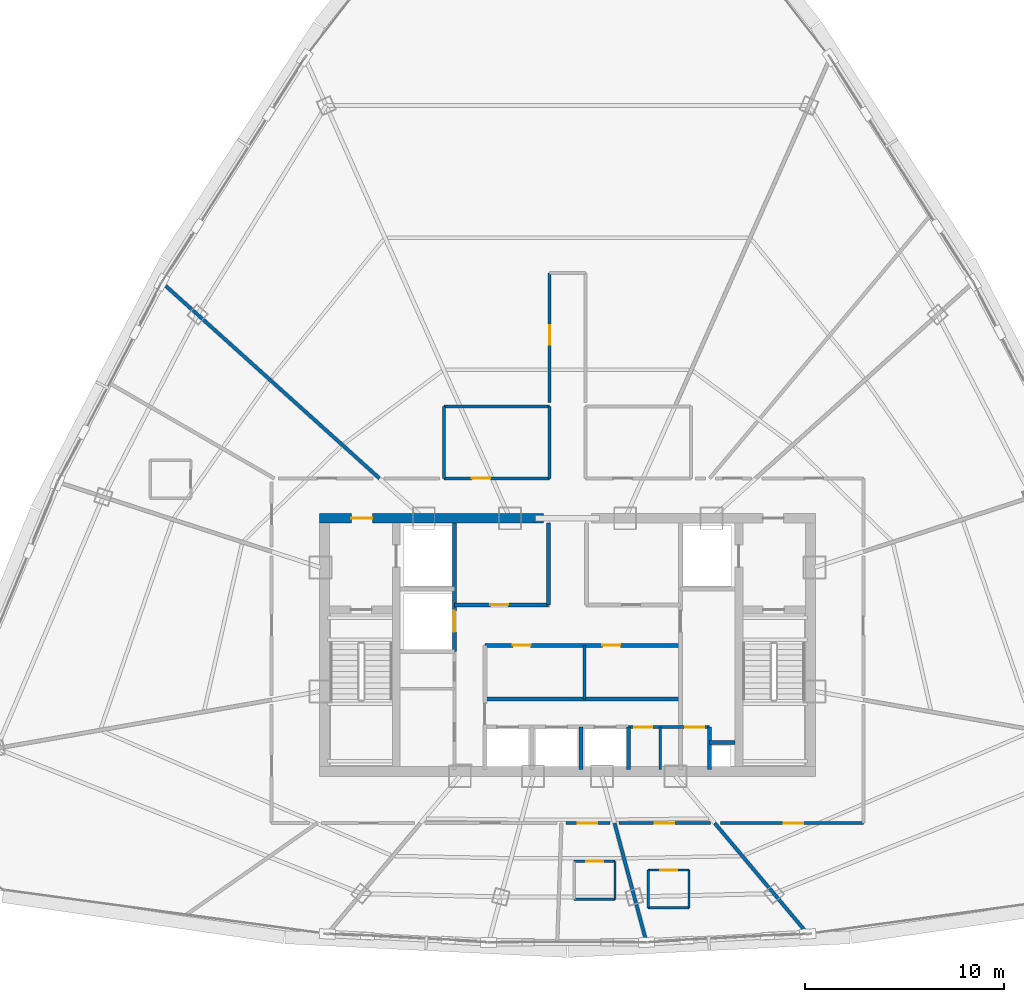
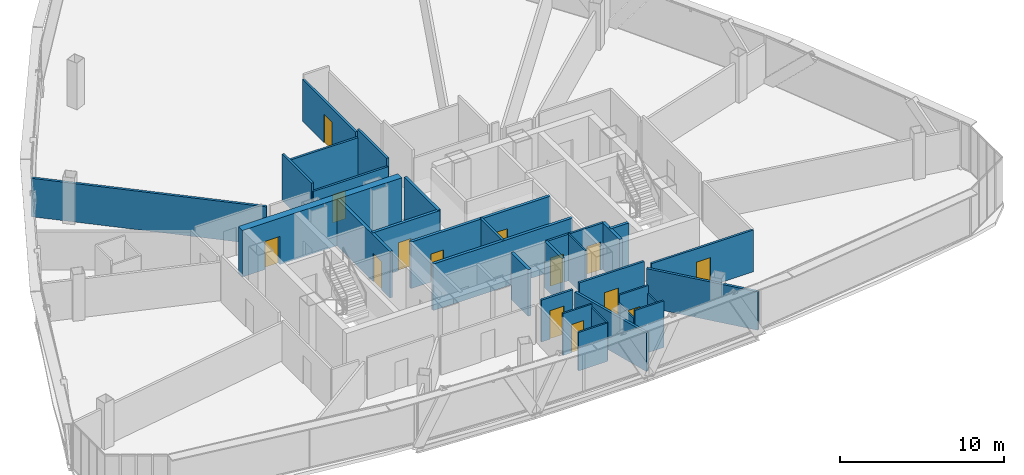
# One storey, part 35 of 40: 31 walls, 14 doors, 14 openings.
"""IFC4 building model written with IfcOpenShell, lengths in metres."""

from ifc_helpers import new_model, si_unit, direction, frame, frame_2d, origin, origin_with_axes, place, context, subcontext, project, spatial, rectangle, extrude, source, transform, mapped, material, layer, layer_set, type_object, element, fill, save


model = new_model("IFC4")

# Units and contexts
model_context = context("Model", 3, precision=1e-05, world=origin(), true_north=direction((0.0, 1.0)))
body_context = subcontext(model_context, "Body", "Model", "MODEL_VIEW")
ifc_project = project(units=[si_unit("LENGTHUNIT", "METRE"), si_unit("AREAUNIT", "SQUARE_METRE"), si_unit("VOLUMEUNIT", "CUBIC_METRE"), si_unit("PLANEANGLEUNIT", "RADIAN"), si_unit("MASSUNIT", "GRAM", prefix="KILO"), si_unit("THERMODYNAMICTEMPERATUREUNIT", "KELVIN"), si_unit("POWERUNIT", "WATT")], contexts=[model_context])

# Site, building, storey
site_placement = place(None, origin())
site = spatial("IfcSite", under=ifc_project, at=site_placement, CompositionType="ELEMENT")
building_placement = place(site_placement, origin())
building = spatial("IfcBuilding", under=site, at=building_placement, Name="Yunzhuo Pagoda Commons", CompositionType="ELEMENT")
storey_placement = place(building_placement, frame((0.0, 0.0, 288.75)))
storey = spatial("IfcBuildingStorey", under=building, at=storey_placement, Name="L72", CompositionType="ELEMENT", Elevation=288.75)

# Wall, opening, door
ifc_material_1 = material(Name="Concrete C50", Category="concrete")
ifc_layer_1 = layer(ifc_material_1, 0.5)
ifc_layer_set_1 = layer_set([ifc_layer_1], Name="Concrete C50")
wall_type_1 = type_object("IfcWallType", Name="W-C03 Upper Core Shear Wall 500", PredefinedType="SHEAR", material=ifc_layer_set_1)
wall_1_placement = place(storey_placement, frame((35.550048828125, 40.199951171875, 0.0), z_axis=(0.0, 0.0, 1.0), x_axis=(1.0, 0.0, 0.0)))
wall_1 = element("IfcWall", 1, at=wall_1_placement, inside=storey, type_object=wall_type_1, Name="L72 core shear wall NW", PredefinedType="SHEAR", context=body_context, shape_type="SweptSolid", body=[
    extrude(rectangle(XDim=11.25, YDim=0.5, at=frame_2d((5.625, 0.0))), origin(), (0.0, 0.0, 1.0), 3.469970703125),
])
opening_1_placement = place(wall_1_placement, frame((1.60009765625, 0.0, 0.0)))
opening_1 = element("IfcOpeningElement", 2, at=opening_1_placement, cuts=wall_1, Name="Opening D-02", PredefinedType="OPENING", context=body_context, shape_type="SweptSolid", body=[
    extrude(rectangle(XDim=1.050048828125, YDim=2.10009765625, at=frame_2d((0.52490234375, 1.050048828125))), frame((0.0, 0.260009765625, 0.0), z_axis=(0.0, -1.0, 0.0), x_axis=(1.0, 0.0, 0.0)), (0.0, 0.0, 1.0), 0.52001953125),
])
ifc_material_2 = material(Name="Galvanized fire-resisting metal leaf")
door_type_1 = type_object("IfcDoorType", Name="D-02 Firefighting Lobby & Refuge Fire Door 1050x2100", OperationType="NOTDEFINED", PredefinedType="DOOR", material=ifc_material_2)
shared_shape_1 = source(origin(), body_context, "Body", "SweptSolid", [
    extrude(rectangle(XDim=1.050048828125, YDim=2.10009765625, at=frame_2d((0.52490234375, 1.050048828125))), frame((0.0, 0.02490234375, 0.0), z_axis=(0.0, -1.0, 0.0), x_axis=(1.0, 0.0, 0.0)), (0.0, 0.0, 1.0), 0.050048828125),
])
door_1_placement = place(opening_1_placement, frame((1.050048828125, 0.0, 0.0), z_axis=(0.0, 0.0, 1.0), x_axis=(-1.0, 0.0, 0.0)))
door_1 = element("IfcDoor", 3, at=door_1_placement, inside=storey, type_object=door_type_1, Name="L72 Firefighting Lobby 1 fire door", OperationType="SINGLE_SWING_LEFT", OverallHeight=2.10009765625, OverallWidth=1.050048828125, PredefinedType="DOOR", context=body_context, shape_type="MappedRepresentation", body=[
    mapped(shared_shape_1, transform((0.0, 0.0, 0.0), scale=1.0)),
])
fill(opening_1, door_1)

# Wall
ifc_material_3 = material(Name="Gypsum plasterboard on acoustic stud")
ifc_layer_2 = layer(ifc_material_3, 0.14990234375)
ifc_layer_set_2 = layer_set([ifc_layer_2], Name="Gypsum plasterboard on acoustic stud")
wall_type_2 = type_object("IfcWallType", Name="W-COR3 High-Zone Rated Corridor Wall 150", PredefinedType="PARTITIONING", material=ifc_layer_set_2)
wall_2_placement = place(storey_placement, frame((48.85009765625, 31.1201171875, 0.0), z_axis=(0.0, 0.0, 1.0), x_axis=(0.0, 1.0, 0.0)))
element("IfcWall", 4, at=wall_2_placement, inside=storey, type_object=wall_type_2, Name="L72 interior wall IW-L72-FRMD", PredefinedType="PARTITIONING", context=body_context, shape_type="SweptSolid", body=[
    extrude(rectangle(XDim=2.699951171875, YDim=0.14990234375, at=frame_2d((1.35009765625, 0.0))), origin(), (0.0, 0.0, 1.0), 3.469970703125),
])

# Wall, openings, doors
wall_3_placement = place(storey_placement, frame((51.050048828125, 29.719970703125, 0.0), z_axis=(0.0, 0.0, 1.0), x_axis=(1.0, 0.0, 0.0)))
wall_3 = element("IfcWall", 5, at=wall_3_placement, inside=storey, type_object=wall_type_2, Name="L72 interior wall IW-L72-CSES", PredefinedType="PARTITIONING", context=body_context, shape_type="SweptSolid", body=[
    extrude(rectangle(XDim=4.070068359375, YDim=0.14990234375, at=frame_2d((2.03515625, 0.0))), origin(), (0.0, 0.0, 1.0), 3.469970703125),
])
opening_2_placement = place(wall_3_placement, frame((0.300048828125, 0.0, 0.0)))
opening_2 = element("IfcOpeningElement", 6, at=opening_2_placement, cuts=wall_3, Name="Opening D-03", PredefinedType="OPENING", context=body_context, shape_type="SweptSolid", body=[
    extrude(rectangle(XDim=0.89990234375, YDim=2.10009765625, at=frame_2d((0.449951171875, 1.050048828125))), frame((0.0, 0.0849609375, 0.0), z_axis=(0.0, -1.0, 0.0), x_axis=(1.0, 0.0, 0.0)), (0.0, 0.0, 1.0), 0.169921875),
])
opening_3_placement = place(wall_3_placement, frame((2.860107421875, 0.0, 0.0)))
opening_3 = element("IfcOpeningElement", 7, at=opening_3_placement, cuts=wall_3, Name="Opening D-11", PredefinedType="OPENING", context=body_context, shape_type="SweptSolid", body=[
    extrude(rectangle(XDim=0.93994140625, YDim=2.10009765625, at=frame_2d((0.469970703125, 1.050048828125))), frame((0.0, 0.0849609375, 0.0), z_axis=(0.0, -1.0, 0.0), x_axis=(1.0, 0.0, 0.0)), (0.0, 0.0, 1.0), 0.169921875),
])
door_type_2 = type_object("IfcDoorType", Name="D-03 Core Service Fire Door 900x2100", OperationType="NOTDEFINED", PredefinedType="DOOR", material=ifc_material_2)
shared_shape_2 = source(origin(), body_context, "Body", "SweptSolid", [
    extrude(rectangle(XDim=0.89990234375, YDim=2.10009765625, at=frame_2d((0.449951171875, 1.050048828125))), frame((0.0, 0.02490234375, 0.0), z_axis=(0.0, -1.0, 0.0), x_axis=(1.0, 0.0, 0.0)), (0.0, 0.0, 1.0), 0.050048828125),
])
door_2_placement = place(opening_2_placement, origin_with_axes())
door_2 = element("IfcDoor", 8, at=door_2_placement, inside=storey, type_object=door_type_2, Name="L72 cleaner door", OperationType="SINGLE_SWING_LEFT", OverallHeight=2.10009765625, OverallWidth=0.89990234375, PredefinedType="DOOR", context=body_context, shape_type="MappedRepresentation", body=[
    mapped(shared_shape_2, transform((0.0, 0.0, 0.0), scale=1.0)),
])
fill(opening_2, door_2)
door_type_3 = type_object("IfcDoorType", Name="D-11 Accessible Washroom Fire Door 940x2100", OperationType="NOTDEFINED", PredefinedType="DOOR", material=ifc_material_2)
shared_shape_3 = source(origin(), body_context, "Body", "SweptSolid", [
    extrude(rectangle(XDim=0.93994140625, YDim=2.10009765625, at=frame_2d((0.469970703125, 1.050048828125))), frame((0.0, 0.02490234375, 0.0), z_axis=(0.0, -1.0, 0.0), x_axis=(1.0, 0.0, 0.0)), (0.0, 0.0, 1.0), 0.050048828125),
])
door_3_placement = place(opening_3_placement, origin_with_axes())
door_3 = element("IfcDoor", 9, at=door_3_placement, inside=storey, type_object=door_type_3, Name="L72 core WC door", OperationType="SINGLE_SWING_RIGHT", OverallHeight=2.10009765625, OverallWidth=0.93994140625, PredefinedType="DOOR", context=body_context, shape_type="MappedRepresentation", body=[
    mapped(shared_shape_3, transform((0.0, 0.0, 0.0), scale=1.0)),
])
fill(opening_3, door_3)

# Wall, opening, door
wall_4_placement = place(storey_placement, frame((41.800048828125, 42.199951171875, 0.0), z_axis=(0.0, 0.0, 1.0), x_axis=(1.0, 0.0, 0.0)))
wall_4 = element("IfcWall", 10, at=wall_4_placement, inside=storey, type_object=wall_type_2, Name="L72 interior wall IW-L72-TFWS", PredefinedType="PARTITIONING", context=body_context, shape_type="SweptSolid", body=[
    extrude(rectangle(XDim=5.300048828125, YDim=0.14990234375, at=frame_2d((2.64990234375, 0.0))), origin(), (0.0, 0.0, 1.0), 2.8701171875),
])
opening_4_placement = place(wall_4_placement, frame((1.39990234375, 0.0, 0.0)))
opening_4 = element("IfcOpeningElement", 11, at=opening_4_placement, cuts=wall_4, Name="Opening D-04", PredefinedType="OPENING", context=body_context, shape_type="SweptSolid", body=[
    extrude(rectangle(XDim=0.919921875, YDim=2.10009765625, at=frame_2d((0.4599609375, 1.050048828125))), frame((0.0, 0.0849609375, 0.0), z_axis=(0.0, -1.0, 0.0), x_axis=(1.0, 0.0, 0.0)), (0.0, 0.0, 1.0), 0.169921875),
])
ifc_material_4 = material(Name="Powder-coated aluminium and timber acoustic leaf", Category="wood")
door_type_4 = type_object("IfcDoorType", Name="D-04 Bedroom & Study Interior Door 920x2100", OperationType="NOTDEFINED", PredefinedType="DOOR", material=ifc_material_4)
shared_shape_4 = source(origin(), body_context, "Body", "SweptSolid", [
    extrude(rectangle(XDim=0.919921875, YDim=2.10009765625, at=frame_2d((0.4599609375, 1.050048828125))), frame((0.0, 0.02490234375, 0.0), z_axis=(0.0, -1.0, 0.0), x_axis=(1.0, 0.0, 0.0)), (0.0, 0.0, 1.0), 0.050048828125),
])
door_4_placement = place(opening_4_placement, frame((0.919921875, 0.0, 0.0), z_axis=(0.0, 0.0, 1.0), x_axis=(-1.0, 0.0, 0.0)))
door_4 = element("IfcDoor", 12, at=door_4_placement, inside=storey, type_object=door_type_4, Name="L72 laundry door", OperationType="SINGLE_SWING_LEFT", OverallHeight=2.10009765625, OverallWidth=0.919921875, PredefinedType="DOOR", context=body_context, shape_type="MappedRepresentation", body=[
    mapped(shared_shape_4, transform((0.0, 0.0, 0.0), scale=1.0)),
])
fill(opening_4, door_4)

# Walls
wall_5_placement = place(storey_placement, frame((41.800048828125, 45.800048828125, 0.0), z_axis=(0.0, 0.0, 1.0), x_axis=(1.0, 0.0, 0.0)))
element("IfcWall", 13, at=wall_5_placement, inside=storey, type_object=wall_type_2, Name="L72 interior wall IW-L72-TFWN", PredefinedType="PARTITIONING", context=body_context, shape_type="SweptSolid", body=[
    extrude(rectangle(XDim=5.300048828125, YDim=0.14990234375, at=frame_2d((2.64990234375, 0.0))), origin(), (0.0, 0.0, 1.0), 2.8701171875),
])
for number, where, z_axis, x_axis, name in (
    (14, (41.800048828125, 42.199951171875, 0.0), (0.0, 0.0, 1.0), (0.0, 1.0, 0.0), "L72 interior wall IW-L72-TFWW"),
    (15, (47.10009765625, 42.199951171875, 0.0), (0.0, 0.0, 1.0), (0.0, 1.0, 0.0), "L72 interior wall IW-L72-TFWE"),
):
    element("IfcWall", number, at=place(storey_placement, frame(where, z_axis=z_axis, x_axis=x_axis)), inside=storey, type_object=wall_type_2, Name=name, PredefinedType="PARTITIONING", context=body_context, shape_type="SweptSolid", body=[
        extrude(rectangle(XDim=3.60009765625, YDim=0.14990234375, at=frame_2d((1.800048828125, 0.0))), origin(), (0.0, 0.0, 1.0), 3.469970703125),
    ])

# Wall, opening, door
wall_6_placement = place(storey_placement, frame((47.10009765625, 46.02001953125, 0.0), z_axis=(0.0, 0.0, 1.0), x_axis=(0.0, 1.0, 0.0)))
wall_6 = element("IfcWall", 16, at=wall_6_placement, inside=storey, type_object=wall_type_2, Name="L72 interior wall IW-L72-CWL06", PredefinedType="PARTITIONING", context=body_context, shape_type="SweptSolid", body=[
    extrude(rectangle(XDim=6.47998046875, YDim=0.14990234375, at=frame_2d((3.239990234375, 0.0))), origin(), (0.0, 0.0, 1.0), 3.1201171875),
])
opening_5_placement = place(wall_6_placement, frame((2.885009765625, 0.0, 0.0)))
opening_5 = element("IfcOpeningElement", 17, at=opening_5_placement, cuts=wall_6, Name="Opening D-08", PredefinedType="OPENING", context=body_context, shape_type="SweptSolid", body=[
    extrude(rectangle(XDim=0.97998046875, YDim=2.1201171875, at=frame_2d((0.489990234375, 1.06005859375))), frame((0.0, 0.0849609375, 0.0), z_axis=(0.0, -1.0, 0.0), x_axis=(1.0, 0.0, 0.0)), (0.0, 0.0, 1.0), 0.169921875),
])
door_type_5 = type_object("IfcDoorType", Name="D-08 High-Zone Suite Entrance Fire Door 980x2120", OperationType="NOTDEFINED", PredefinedType="DOOR", material=ifc_material_2)
shared_shape_5 = source(origin(), body_context, "Body", "SweptSolid", [
    extrude(rectangle(XDim=0.97998046875, YDim=2.1201171875, at=frame_2d((0.489990234375, 1.06005859375))), frame((0.0, 0.02490234375, 0.0), z_axis=(0.0, -1.0, 0.0), x_axis=(1.0, 0.0, 0.0)), (0.0, 0.0, 1.0), 0.050048828125),
])
door_5_placement = place(opening_5_placement, origin_with_axes())
door_5 = element("IfcDoor", 18, at=door_5_placement, inside=storey, type_object=door_type_5, Name="L72 Shared Resident Kitchen and Pantry door", OperationType="SINGLE_SWING_RIGHT", OverallHeight=2.1201171875, OverallWidth=0.97998046875, PredefinedType="DOOR", context=body_context, shape_type="MappedRepresentation", body=[
    mapped(shared_shape_5, transform((0.0, 0.0, 0.0), scale=1.0)),
])
fill(opening_5, door_5)

wall_7_placement = place(storey_placement, frame((62.85009765625, 24.89990234375, 0.0), z_axis=(0.0, 0.0, 1.0), x_axis=(-1.0, 0.0, 0.0)))
wall_7 = element("IfcWall", 19, at=wall_7_placement, inside=storey, type_object=wall_type_2, Name="L72 interior wall IW-L72-CWL15", PredefinedType="PARTITIONING", context=body_context, shape_type="SweptSolid", body=[
    extrude(rectangle(XDim=7.1787109375, YDim=0.14990234375, at=frame_2d((3.58935546875, 0.0))), origin(), (0.0, 0.0, 1.0), 3.1201171875),
])
opening_6_placement = place(wall_7_placement, frame((3.028076171875, 0.0, 0.0)))
opening_6 = element("IfcOpeningElement", 20, at=opening_6_placement, cuts=wall_7, Name="Opening D-08", PredefinedType="OPENING", context=body_context, shape_type="SweptSolid", body=[
    extrude(rectangle(XDim=0.97998046875, YDim=2.1201171875, at=frame_2d((0.489990234375, 1.06005859375))), frame((0.0, 0.0849609375, 0.0), z_axis=(0.0, -1.0, 0.0), x_axis=(1.0, 0.0, 0.0)), (0.0, 0.0, 1.0), 0.169921875),
])
door_6_placement = place(opening_6_placement, origin_with_axes())
door_6 = element("IfcDoor", 21, at=door_6_placement, inside=storey, type_object=door_type_5, Name="L72 unit 14 entrance door", OperationType="SINGLE_SWING_LEFT", OverallHeight=2.1201171875, OverallWidth=0.97998046875, PredefinedType="DOOR", context=body_context, shape_type="MappedRepresentation", body=[
    mapped(shared_shape_5, transform((0.0, 0.0, 0.0), scale=1.0)),
])
fill(opening_6, door_6)

wall_8_placement = place(storey_placement, frame((55.164306640625, 24.89990234375, 0.0), z_axis=(0.0, 0.0, 1.0), x_axis=(-1.0, 0.0, 0.0)))
wall_8 = element("IfcWall", 22, at=wall_8_placement, inside=storey, type_object=wall_type_2, Name="L72 interior wall IW-L72-CWL16", PredefinedType="PARTITIONING", context=body_context, shape_type="SweptSolid", body=[
    extrude(rectangle(XDim=4.57861328125, YDim=0.14990234375, at=frame_2d((2.289306640625, 0.0))), origin(), (0.0, 0.0, 1.0), 3.469970703125),
])
opening_7_placement = place(wall_8_placement, frame((1.818115234375, 0.0, 0.0)))
opening_7 = element("IfcOpeningElement", 23, at=opening_7_placement, cuts=wall_8, Name="Opening D-08", PredefinedType="OPENING", context=body_context, shape_type="SweptSolid", body=[
    extrude(rectangle(XDim=0.97998046875, YDim=2.1201171875, at=frame_2d((0.489990234375, 1.06005859375))), frame((0.0, 0.0849609375, 0.0), z_axis=(0.0, -1.0, 0.0), x_axis=(1.0, 0.0, 0.0)), (0.0, 0.0, 1.0), 0.169921875),
])
door_7_placement = place(opening_7_placement, origin_with_axes())
door_7 = element("IfcDoor", 24, at=door_7_placement, inside=storey, type_object=door_type_5, Name="L72 unit 13 entrance door", OperationType="SINGLE_SWING_RIGHT", OverallHeight=2.1201171875, OverallWidth=0.97998046875, PredefinedType="DOOR", context=body_context, shape_type="MappedRepresentation", body=[
    mapped(shared_shape_5, transform((0.0, 0.0, 0.0), scale=1.0)),
])
fill(opening_7, door_7)

wall_9_placement = place(storey_placement, frame((50.13818359375, 24.89990234375, 0.0), z_axis=(0.0, 0.0, 1.0), x_axis=(-1.0, 0.0, 0.0)))
wall_9 = element("IfcWall", 25, at=wall_9_placement, inside=storey, type_object=wall_type_2, Name="L72 interior wall IW-L72-CWL17", PredefinedType="PARTITIONING", context=body_context, shape_type="SweptSolid", body=[
    extrude(rectangle(XDim=2.2255859375, YDim=0.14990234375, at=frame_2d((1.11279296875, 0.0))), origin(), (0.0, 0.0, 1.0), 3.1201171875),
])
opening_8_placement = place(wall_9_placement, frame((0.6376953125, 0.0, 0.0)))
opening_8 = element("IfcOpeningElement", 26, at=opening_8_placement, cuts=wall_9, Name="Opening D-08", PredefinedType="OPENING", context=body_context, shape_type="SweptSolid", body=[
    extrude(rectangle(XDim=0.97998046875, YDim=2.1201171875, at=frame_2d((0.489990234375, 1.06005859375))), frame((0.0, 0.0849609375, 0.0), z_axis=(0.0, -1.0, 0.0), x_axis=(1.0, 0.0, 0.0)), (0.0, 0.0, 1.0), 0.169921875),
])
door_8_placement = place(opening_8_placement, origin_with_axes())
door_8 = element("IfcDoor", 27, at=door_8_placement, inside=storey, type_object=door_type_5, Name="L72 unit 12 entrance door", OperationType="SINGLE_SWING_LEFT", OverallHeight=2.1201171875, OverallWidth=0.97998046875, PredefinedType="DOOR", context=body_context, shape_type="MappedRepresentation", body=[
    mapped(shared_shape_5, transform((0.0, 0.0, 0.0), scale=1.0)),
])
fill(opening_8, door_8)

# Walls
ifc_layer_3 = layer(ifc_material_3, 0.1201171875)
ifc_layer_set_3 = layer_set([ifc_layer_3], Name="Gypsum plasterboard on acoustic stud")
wall_type_3 = type_object("IfcWallType", Name="W-PRT1 Suite & Bathroom Partition 120", PredefinedType="PARTITIONING", material=ifc_layer_set_3)
wall_10_placement = place(storey_placement, frame((52.64990234375, 27.60009765625, 0.0), z_axis=(0.0, 0.0, 1.0), x_axis=(0.0, 1.0, 0.0)))
element("IfcWall", 28, at=wall_10_placement, inside=storey, type_object=wall_type_3, Name="L72 interior wall IW-L72-CD2", PredefinedType="PARTITIONING", context=body_context, shape_type="SweptSolid", body=[
    extrude(rectangle(XDim=2.119873046875, YDim=0.1201171875, at=frame_2d((1.06005859375, 0.0))), origin(), (0.0, 0.0, 1.0), 3.469970703125),
])
wall_11_placement = place(storey_placement, frame((48.3310546875, 21.074951171875, 0.0), z_axis=(0.0, 0.0, 1.0), x_axis=(1.0, 0.0, 0.0)))
element("IfcWall", 29, at=wall_11_placement, inside=storey, type_object=wall_type_3, Name="L72 interior wall IW-L72-B12S", PredefinedType="PARTITIONING", context=body_context, shape_type="SweptSolid", body=[
    extrude(rectangle(XDim=2.050048828125, YDim=0.1201171875, at=frame_2d((1.02490234375, 0.0))), origin(), (0.0, 0.0, 1.0), 2.8701171875),
])
wall_12_placement = place(storey_placement, frame((50.381103515625, 21.074951171875, 0.0), z_axis=(0.0, 0.0, 1.0), x_axis=(0.0, 1.0, 0.0)))
element("IfcWall", 30, at=wall_12_placement, inside=storey, type_object=wall_type_3, Name="L72 interior wall IW-L72-B12E", PredefinedType="PARTITIONING", context=body_context, shape_type="SweptSolid", body=[
    extrude(rectangle(XDim=1.900146484375, YDim=0.1201171875, at=frame_2d((0.9501953125, 0.0))), origin(), (0.0, 0.0, 1.0), 2.8701171875),
])

# Wall, opening, door
wall_13_placement = place(storey_placement, frame((50.381103515625, 22.97509765625, 0.0), z_axis=(0.0, 0.0, 1.0), x_axis=(-1.0, 0.0, 0.0)))
wall_13 = element("IfcWall", 31, at=wall_13_placement, inside=storey, type_object=wall_type_3, Name="L72 interior wall IW-L72-B12N", PredefinedType="PARTITIONING", context=body_context, shape_type="SweptSolid", body=[
    extrude(rectangle(XDim=2.050048828125, YDim=0.1201171875, at=frame_2d((1.02490234375, 0.0))), origin(), (0.0, 0.0, 1.0), 3.1201171875),
])
opening_9_placement = place(wall_13_placement, frame((0.60009765625, 0.0, 0.0)))
opening_9 = element("IfcOpeningElement", 32, at=opening_9_placement, cuts=wall_13, Name="Opening D-05", PredefinedType="OPENING", context=body_context, shape_type="SweptSolid", body=[
    extrude(rectangle(XDim=0.85009765625, YDim=2.10009765625, at=frame_2d((0.425048828125, 1.050048828125))), frame((0.0, 0.070068359375, 0.0), z_axis=(0.0, -1.0, 0.0), x_axis=(1.0, 0.0, 0.0)), (0.0, 0.0, 1.0), 0.14013671875),
])
door_type_6 = type_object("IfcDoorType", Name="D-05 En-Suite Bathroom Door 850x2100", OperationType="NOTDEFINED", PredefinedType="DOOR", material=ifc_material_4)
shared_shape_6 = source(origin(), body_context, "Body", "SweptSolid", [
    extrude(rectangle(XDim=0.85009765625, YDim=2.10009765625, at=frame_2d((0.425048828125, 1.050048828125))), frame((0.0, 0.02490234375, 0.0), z_axis=(0.0, -1.0, 0.0), x_axis=(1.0, 0.0, 0.0)), (0.0, 0.0, 1.0), 0.050048828125),
])
door_9_placement = place(opening_9_placement, frame((0.85009765625, 0.0, 0.0), z_axis=(0.0, 0.0, 1.0), x_axis=(-1.0, 0.0, 0.0)))
door_9 = element("IfcDoor", 33, at=door_9_placement, inside=storey, type_object=door_type_6, Name="L72 unit 12 bathroom door", OperationType="SINGLE_SWING_LEFT", OverallHeight=2.10009765625, OverallWidth=0.85009765625, PredefinedType="DOOR", context=body_context, shape_type="MappedRepresentation", body=[
    mapped(shared_shape_6, transform((0.0, 0.0, 0.0), scale=1.0)),
])
fill(opening_9, door_9)

# Walls
wall_14_placement = place(storey_placement, frame((52.044921875, 20.64306640625, 0.0), z_axis=(0.0, 0.0, 1.0), x_axis=(1.0, 0.0, 0.0)))
element("IfcWall", 34, at=wall_14_placement, inside=storey, type_object=wall_type_3, Name="L72 interior wall IW-L72-B13S", PredefinedType="PARTITIONING", context=body_context, shape_type="SweptSolid", body=[
    extrude(rectangle(XDim=2.050048828125, YDim=0.1201171875, at=frame_2d((1.02490234375, 0.0))), origin(), (0.0, 0.0, 1.0), 3.469970703125),
])
wall_15_placement = place(storey_placement, frame((54.094970703125, 20.64306640625, 0.0), z_axis=(0.0, 0.0, 1.0), x_axis=(0.0, 1.0, 0.0)))
element("IfcWall", 35, at=wall_15_placement, inside=storey, type_object=wall_type_3, Name="L72 interior wall IW-L72-B13E", PredefinedType="PARTITIONING", context=body_context, shape_type="SweptSolid", body=[
    extrude(rectangle(XDim=1.89990234375, YDim=0.1201171875, at=frame_2d((0.949951171875, 0.0))), origin(), (0.0, 0.0, 1.0), 2.8701171875),
])

# Wall, opening, door
wall_16_placement = place(storey_placement, frame((54.094970703125, 22.54296875, 0.0), z_axis=(0.0, 0.0, 1.0), x_axis=(-1.0, 0.0, 0.0)))
wall_16 = element("IfcWall", 36, at=wall_16_placement, inside=storey, type_object=wall_type_3, Name="L72 interior wall IW-L72-B13N", PredefinedType="PARTITIONING", context=body_context, shape_type="SweptSolid", body=[
    extrude(rectangle(XDim=2.050048828125, YDim=0.1201171875, at=frame_2d((1.02490234375, 0.0))), origin(), (0.0, 0.0, 1.0), 3.469970703125),
])
opening_10_placement = place(wall_16_placement, frame((0.60009765625, 0.0, 0.0)))
opening_10 = element("IfcOpeningElement", 37, at=opening_10_placement, cuts=wall_16, Name="Opening D-05", PredefinedType="OPENING", context=body_context, shape_type="SweptSolid", body=[
    extrude(rectangle(XDim=0.85009765625, YDim=2.10009765625, at=frame_2d((0.425048828125, 1.050048828125))), frame((0.0, 0.070068359375, 0.0), z_axis=(0.0, -1.0, 0.0), x_axis=(1.0, 0.0, 0.0)), (0.0, 0.0, 1.0), 0.14013671875),
])
door_10_placement = place(opening_10_placement, frame((0.85009765625, 0.0, 0.0), z_axis=(0.0, 0.0, 1.0), x_axis=(-1.0, 0.0, 0.0)))
door_10 = element("IfcDoor", 38, at=door_10_placement, inside=storey, type_object=door_type_6, Name="L72 unit 13 bathroom door", OperationType="SINGLE_SWING_RIGHT", OverallHeight=2.10009765625, OverallWidth=0.85009765625, PredefinedType="DOOR", context=body_context, shape_type="MappedRepresentation", body=[
    mapped(shared_shape_6, transform((0.0, 0.0, 0.0), scale=1.0)),
])
fill(opening_10, door_10)

# Walls
wall_17_placement = place(storey_placement, frame((52.044921875, 22.54296875, 0.0), z_axis=(0.0, 0.0, 1.0), x_axis=(0.0, -1.0, 0.0)))
element("IfcWall", 39, at=wall_17_placement, inside=storey, type_object=wall_type_3, Name="L72 interior wall IW-L72-B13W", PredefinedType="PARTITIONING", context=body_context, shape_type="SweptSolid", body=[
    extrude(rectangle(XDim=1.89990234375, YDim=0.1201171875, at=frame_2d((0.949951171875, 0.0))), origin(), (0.0, 0.0, 1.0), 2.8701171875),
])
ifc_layer_4 = layer(ifc_material_3, 0.169921875)
ifc_layer_set_4 = layer_set([ifc_layer_4], Name="Gypsum plasterboard on acoustic stud")
wall_type_4 = type_object("IfcWallType", Name="W-PRT4 High-Zone Demising Wall 170", PredefinedType="PARTITIONING", material=ifc_layer_set_4)
wall_18_placement = place(storey_placement, frame((38.559814453125, 42.199951171875, 0.0), z_axis=(0.0, 0.0, 1.0), x_axis=(-0.743145593795, 0.669129753055, 0.0)))
element("IfcWall", 40, at=wall_18_placement, inside=storey, type_object=wall_type_4, Name="L72 interior wall IW-L72-RAD05", PredefinedType="PARTITIONING", context=body_context, shape_type="SweptSolid", body=[
    extrude(rectangle(XDim=14.711181640625, YDim=0.169921875, at=frame_2d((7.35546875, 0.0))), origin(), (0.0, 0.0, 1.0), 2.8701171875),
])
wall_19_placement = place(storey_placement, frame((50.35791015625, 24.89990234375, 0.0), z_axis=(0.0, 0.0, 1.0), x_axis=(0.258843673448, -0.965919226807, 0.0)))
element("IfcWall", 41, at=wall_19_placement, inside=storey, type_object=wall_type_4, Name="L72 interior wall IW-L72-RAD12", PredefinedType="PARTITIONING", context=body_context, shape_type="SweptSolid", body=[
    extrude(rectangle(XDim=6.20068359375, YDim=0.169921875, at=frame_2d((3.100341796875, 0.0))), origin(), (0.0, 0.0, 1.0), 2.8701171875),
])
wall_20_placement = place(storey_placement, frame((55.384033203125, 24.89990234375, 0.0), z_axis=(0.0, 0.0, 1.0), x_axis=(0.642798027821, -0.766035701146, 0.0)))
element("IfcWall", 42, at=wall_20_placement, inside=storey, type_object=wall_type_4, Name="L72 interior wall IW-L72-RAD13", PredefinedType="PARTITIONING", context=body_context, shape_type="SweptSolid", body=[
    extrude(rectangle(XDim=7.2666015625, YDim=0.169921875, at=frame_2d((3.63330078125, 0.0))), origin(), (0.0, 0.0, 1.0), 2.8701171875),
])

# Wall, opening, door
ifc_material_5 = material(Name="Concrete C40", Category="concrete")
ifc_layer_5 = layer(ifc_material_5, 0.199951171875)
ifc_layer_set_5 = layer_set([ifc_layer_5], Name="Concrete C40")
wall_type_5 = type_object("IfcWallType", Name="W-SHF Shaft & Stair Enclosure Wall 200", PredefinedType="SOLIDWALL", material=ifc_layer_set_5)
wall_21_placement = place(storey_placement, frame((42.320068359375, 33.5, 0.0), z_axis=(0.0, 0.0, 1.0), x_axis=(0.0, 1.0, 0.0)))
wall_21 = element("IfcWall", 43, at=wall_21_placement, inside=storey, type_object=wall_type_5, Name="L72 interior wall IW-L72-FL1E", PredefinedType="SOLIDWALL", context=body_context, shape_type="SweptSolid", body=[
    extrude(rectangle(XDim=6.449951171875, YDim=0.199951171875, at=frame_2d((3.22509765625, 0.0))), origin(), (0.0, 0.0, 1.0), 3.469970703125),
])
opening_11_placement = place(wall_21_placement, frame((1.0, 0.0, 0.0)))
opening_11 = element("IfcOpeningElement", 44, at=opening_11_placement, cuts=wall_21, Name="Opening LD-02", PredefinedType="OPENING", context=body_context, shape_type="SweptSolid", body=[
    extrude(rectangle(XDim=1.050048828125, YDim=2.10009765625, at=frame_2d((0.52490234375, 1.050048828125))), frame((0.0, 0.10986328125, 0.0), z_axis=(0.0, -1.0, 0.0), x_axis=(1.0, 0.0, 0.0)), (0.0, 0.0, 1.0), 0.219970703125),
])
door_type_7 = type_object("IfcDoorType", Name="LD-02 Passenger Lift Landing Door 1050x2100", OperationType="DOUBLE_DOOR_SLIDING", PredefinedType="DOOR", material=ifc_material_2)
door_11_placement = place(opening_11_placement, origin_with_axes())
door_11 = element("IfcDoor", 45, at=door_11_placement, inside=storey, type_object=door_type_7, Name="L72 Service lift SL-1 landing door", OperationType="DOUBLE_DOOR_SLIDING", OverallHeight=2.10009765625, OverallWidth=1.050048828125, PredefinedType="DOOR", context=body_context, shape_type="MappedRepresentation", body=[
    mapped(shared_shape_1, transform((0.0, 0.0, 0.0), scale=1.0)),
])
fill(opening_11, door_11)

wall_22_placement = place(storey_placement, frame((42.320068359375, 35.85009765625, 0.0), z_axis=(0.0, 0.0, 1.0), x_axis=(1.0, 0.0, 0.0)))
wall_22 = element("IfcWall", 46, at=wall_22_placement, inside=storey, type_object=wall_type_5, Name="L72 interior wall IW-L72-LBNW", PredefinedType="SOLIDWALL", context=body_context, shape_type="SweptSolid", body=[
    extrude(rectangle(XDim=4.72998046875, YDim=0.199951171875, at=frame_2d((2.364990234375, 0.0))), origin(), (0.0, 0.0, 1.0), 3.469970703125),
])
opening_12_placement = place(wall_22_placement, frame((1.800048828125, 0.0, 0.0)))
opening_12 = element("IfcOpeningElement", 47, at=opening_12_placement, cuts=wall_22, Name="Opening D-03", PredefinedType="OPENING", context=body_context, shape_type="SweptSolid", body=[
    extrude(rectangle(XDim=0.89990234375, YDim=2.10009765625, at=frame_2d((0.449951171875, 1.050048828125))), frame((0.0, 0.10986328125, 0.0), z_axis=(0.0, -1.0, 0.0), x_axis=(1.0, 0.0, 0.0)), (0.0, 0.0, 1.0), 0.219970703125),
])
door_12_placement = place(opening_12_placement, frame((0.89990234375, 0.0, 0.0), z_axis=(0.0, 0.0, 1.0), x_axis=(-1.0, 0.0, 0.0)))
door_12 = element("IfcDoor", 48, at=door_12_placement, inside=storey, type_object=door_type_2, Name="L72 core west store door", OperationType="SINGLE_SWING_LEFT", OverallHeight=2.10009765625, OverallWidth=0.89990234375, PredefinedType="DOOR", context=body_context, shape_type="MappedRepresentation", body=[
    mapped(shared_shape_2, transform((0.0, 0.0, 0.0), scale=1.0)),
])
fill(opening_12, door_12)

# Wall
wall_23_placement = place(storey_placement, frame((47.050048828125, 35.85009765625, 0.0), z_axis=(0.0, 0.0, 1.0), x_axis=(0.0, 1.0, 0.0)))
element("IfcWall", 49, at=wall_23_placement, inside=storey, type_object=wall_type_5, Name="L72 interior wall IW-L72-THRW", PredefinedType="SOLIDWALL", context=body_context, shape_type="SweptSolid", body=[
    extrude(rectangle(XDim=4.099853515625, YDim=0.199951171875, at=frame_2d((2.0498046875, 0.0))), origin(), (0.0, 0.0, 1.0), 3.469970703125),
])

# Wall, openings, doors
wall_24_placement = place(storey_placement, frame((43.85009765625, 33.820068359375, 0.0), z_axis=(0.0, 0.0, 1.0), x_axis=(1.0, 0.0, 0.0)))
wall_24 = element("IfcWall", 50, at=wall_24_placement, inside=storey, type_object=wall_type_5, Name="L72 interior wall IW-L72-MLBS", PredefinedType="SOLIDWALL", context=body_context, shape_type="SweptSolid", body=[
    extrude(rectangle(XDim=9.829833984375, YDim=0.199951171875, at=frame_2d((4.9150390625, 0.0))), origin(), (0.0, 0.0, 1.0), 3.469970703125),
])
opening_13_placement = place(wall_24_placement, frame((1.39990234375, 0.0, 0.0)))
opening_13 = element("IfcOpeningElement", 51, at=opening_13_placement, cuts=wall_24, Name="Opening D-03", PredefinedType="OPENING", context=body_context, shape_type="SweptSolid", body=[
    extrude(rectangle(XDim=0.89990234375, YDim=2.10009765625, at=frame_2d((0.449951171875, 1.050048828125))), frame((0.0, 0.10986328125, 0.0), z_axis=(0.0, -1.0, 0.0), x_axis=(1.0, 0.0, 0.0)), (0.0, 0.0, 1.0), 0.219970703125),
])
opening_14_placement = place(wall_24_placement, frame((5.89990234375, 0.0, 0.0)))
opening_14 = element("IfcOpeningElement", 52, at=opening_14_placement, cuts=wall_24, Name="Opening D-03", PredefinedType="OPENING", context=body_context, shape_type="SweptSolid", body=[
    extrude(rectangle(XDim=0.89990234375, YDim=2.10009765625, at=frame_2d((0.449951171875, 1.050048828125))), frame((0.0, 0.10986328125, 0.0), z_axis=(0.0, -1.0, 0.0), x_axis=(1.0, 0.0, 0.0)), (0.0, 0.0, 1.0), 0.219970703125),
])
door_13_placement = place(opening_13_placement, origin_with_axes())
door_13 = element("IfcDoor", 53, at=door_13_placement, inside=storey, type_object=door_type_2, Name="L72 core mid-west store door", OperationType="SINGLE_SWING_LEFT", OverallHeight=2.10009765625, OverallWidth=0.89990234375, PredefinedType="DOOR", context=body_context, shape_type="MappedRepresentation", body=[
    mapped(shared_shape_2, transform((0.0, 0.0, 0.0), scale=1.0)),
])
fill(opening_13, door_13)
door_14_placement = place(opening_14_placement, origin_with_axes())
door_14 = element("IfcDoor", 54, at=door_14_placement, inside=storey, type_object=door_type_2, Name="L72 core mid-east store door", OperationType="SINGLE_SWING_RIGHT", OverallHeight=2.10009765625, OverallWidth=0.89990234375, PredefinedType="DOOR", context=body_context, shape_type="MappedRepresentation", body=[
    mapped(shared_shape_2, transform((0.0, 0.0, 0.0), scale=1.0)),
])
fill(opening_14, door_14)

# Walls
wall_25_placement = place(storey_placement, frame((51.050048828125, 27.60009765625, 0.0), z_axis=(0.0, 0.0, 1.0), x_axis=(0.0, 1.0, 0.0)))
element("IfcWall", 55, at=wall_25_placement, inside=storey, type_object=wall_type_5, Name="L72 interior wall IW-L72-PLHE", PredefinedType="SOLIDWALL", context=body_context, shape_type="SweptSolid", body=[
    extrude(rectangle(XDim=2.119873046875, YDim=0.199951171875, at=frame_2d((1.06005859375, 0.0))), origin(), (0.0, 0.0, 1.0), 3.469970703125),
])
wall_26_placement = place(storey_placement, frame((43.85009765625, 31.1201171875, 0.0), z_axis=(0.0, 0.0, 1.0), x_axis=(1.0, 0.0, 0.0)))
element("IfcWall", 56, at=wall_26_placement, inside=storey, type_object=wall_type_5, Name="L72 interior wall IW-L72-PLMS2", PredefinedType="SOLIDWALL", context=body_context, shape_type="SweptSolid", body=[
    extrude(rectangle(XDim=9.829833984375, YDim=0.199951171875, at=frame_2d((4.9150390625, 0.0))), origin(), (0.0, 0.0, 1.0), 3.469970703125),
])
for number, where, z_axis, x_axis, name in (
    (57, (48.675048828125, 27.60009765625, 0.0), (0.0, 0.0, 1.0), (0.0, 1.0, 0.0), "L72 interior wall IW-L72-PLHD2"),
    (58, (55.1201171875, 27.60009765625, 0.0), (0.0, 0.0, 1.0), (0.0, 1.0, 0.0), "L72 interior wall IW-L72-RSHFW"),
):
    element("IfcWall", number, at=place(storey_placement, frame(where, z_axis=z_axis, x_axis=x_axis)), inside=storey, type_object=wall_type_5, Name=name, PredefinedType="SOLIDWALL", context=body_context, shape_type="SweptSolid", body=[
        extrude(rectangle(XDim=2.119873046875, YDim=0.199951171875, at=frame_2d((1.06005859375, 0.0))), origin(), (0.0, 0.0, 1.0), 3.469970703125),
    ])
wall_27_placement = place(storey_placement, frame((55.1201171875, 28.949951171875, 0.0), z_axis=(0.0, 0.0, 1.0), x_axis=(1.0, 0.0, 0.0)))
element("IfcWall", 59, at=wall_27_placement, inside=storey, type_object=wall_type_5, Name="L72 interior wall IW-L72-RSHFN", PredefinedType="SOLIDWALL", context=body_context, shape_type="SweptSolid", body=[
    extrude(rectangle(XDim=1.27978515625, YDim=0.199951171875, at=frame_2d((0.639892578125, 0.0))), origin(), (0.0, 0.0, 1.0), 3.469970703125),
])

save(model, "model.ifc")
